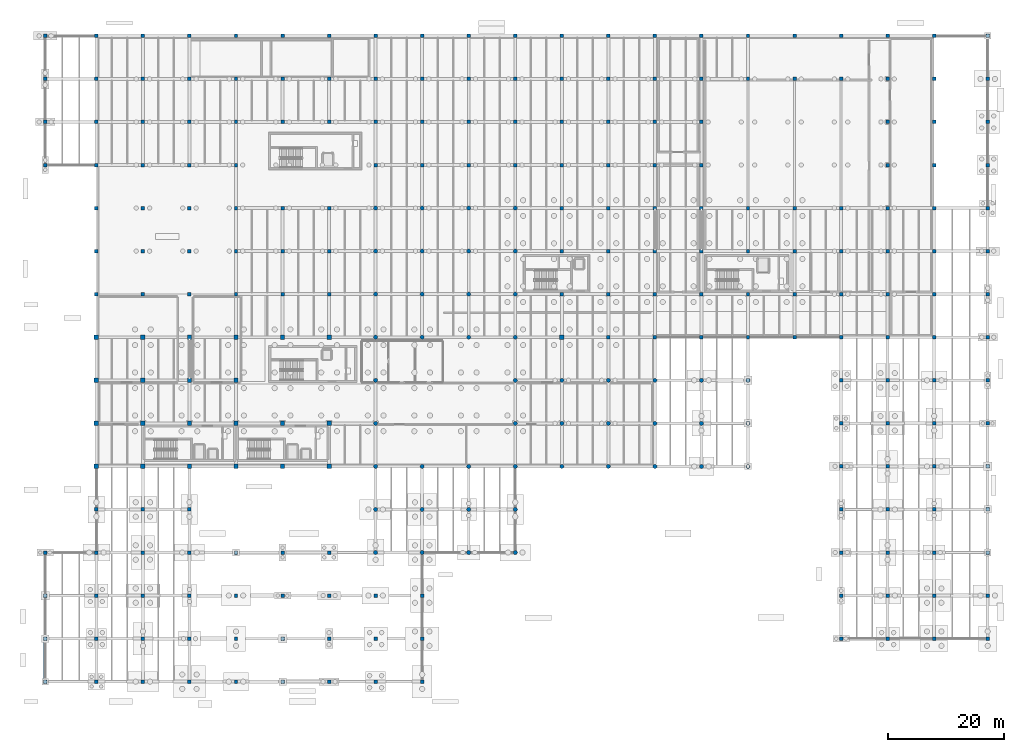
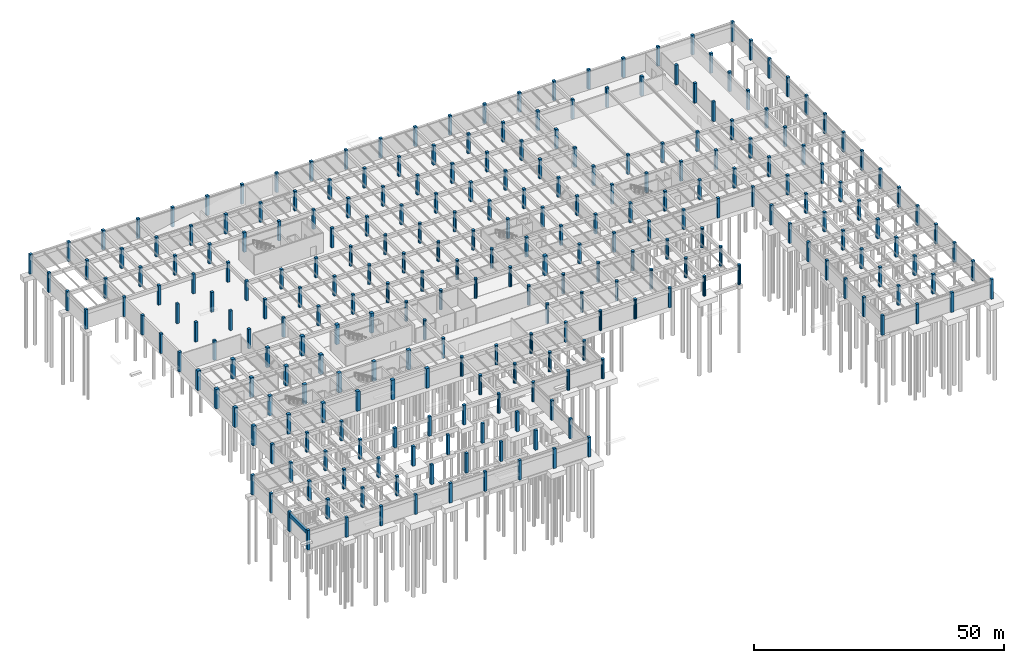
# One storey, part 8 of 40: 268 columns, 1 beam.
"""IFC4 building model written with IfcOpenShell, lengths in metres."""

from ifc_helpers import new_model, si_unit, direction, frame, origin, origin_2d, place, context, subcontext, project, spatial, rectangle, circle, extrude, material, material_profile, profile_set, type_object, element, save


model = new_model("IFC4")

# Units and contexts
model_context = context("Model", 3, precision=1e-05, world=origin(), true_north=direction((0.0, 1.0)))
body_context = subcontext(model_context, "Body", "Model", "MODEL_VIEW")
ifc_project = project(units=[si_unit("LENGTHUNIT", "METRE"), si_unit("AREAUNIT", "SQUARE_METRE"), si_unit("VOLUMEUNIT", "CUBIC_METRE"), si_unit("PLANEANGLEUNIT", "RADIAN"), si_unit("MASSUNIT", "GRAM", prefix="KILO")], contexts=[model_context])

# Site, building, storey
site_placement = place(None, origin())
site = spatial("IfcSite", under=ifc_project, at=site_placement, CompositionType="ELEMENT")
building_placement = place(site_placement, origin())
building = spatial("IfcBuilding", under=site, at=building_placement, Name="Valkorina Park Police Headquarters", CompositionType="ELEMENT")
storey_placement = place(building_placement, frame((0.0, 0.0, -4.800048828125)))
storey = spatial("IfcBuildingStorey", under=building, at=storey_placement, Name="B01", CompositionType="ELEMENT", Elevation=-4.800048828125)

# Columns
ifc_material = material(Name="Concrete C40/50", Category="concrete")
ifc_material_profile_1 = material_profile(ifc_material, rectangle(XDim=0.60009765625, YDim=0.60009765625, at=origin_2d()), Name="RC COL 600x600")
ifc_profile_set_1 = profile_set([ifc_material_profile_1], Name="Concrete C40/50")
column_type_1 = type_object("IfcColumnType", Name="COL-RC-600-EXT", PredefinedType="COLUMN", material=ifc_profile_set_1)
for number, where, z_axis, x_axis, name in (
    (1, (0.0, 0.0, 0.0), (0.0, 0.0, 1.0), (1.0, 0.0, 0.0), "B01 Column 0001"),
    (2, (0.0, 7.39990234375, 0.0), (0.0, 0.0, 1.0), (1.0, 0.0, 0.0), "B01 Column 0002"),
    (3, (0.0, 14.800048828125, 0.0), (0.0, 0.0, 1.0), (1.0, 0.0, 0.0), "B01 Column 0003"),
    (4, (0.0, 22.199951171875, 0.0), (0.0, 0.0, 1.0), (1.0, 0.0, 0.0), "B01 Column 0004"),
    (5, (0.0, 88.800048828125, 0.0), (0.0, 0.0, 1.0), (1.0, 0.0, 0.0), "B01 Column 0005"),
    (6, (0.0, 96.199951171875, 0.0), (0.0, 0.0, 1.0), (1.0, 0.0, 0.0), "B01 Column 0006"),
    (7, (0.0, 103.60009765625, 0.0), (0.0, 0.0, 1.0), (1.0, 0.0, 0.0), "B01 Column 0007"),
    (8, (0.0, 111.0, 0.0), (0.0, 0.0, 1.0), (1.0, 0.0, 0.0), "B01 Column 0008"),
    (9, (8.800048828125, 0.0, 0.0), (0.0, 0.0, 1.0), (1.0, 0.0, 0.0), "B01 Column 0009"),
    (10, (8.800048828125, 7.39990234375, 0.0), (0.0, 0.0, 1.0), (1.0, 0.0, 0.0), "B01 Column 0010"),
    (11, (8.800048828125, 14.800048828125, 0.0), (0.0, 0.0, 1.0), (1.0, 0.0, 0.0), "B01 Column 0011"),
    (12, (8.800048828125, 22.199951171875, 0.0), (0.0, 0.0, 1.0), (1.0, 0.0, 0.0), "B01 Column 0012"),
    (13, (8.800048828125, 29.60009765625, 0.0), (0.0, 0.0, 1.0), (1.0, 0.0, 0.0), "B01 Column 0013"),
    (14, (8.800048828125, 66.60009765625, 0.0), (0.0, 0.0, 1.0), (1.0, 0.0, 0.0), "B01 Column 0018"),
    (15, (8.800048828125, 74.0, 0.0), (0.0, 0.0, 1.0), (1.0, 0.0, 0.0), "B01 Column 0019"),
    (16, (8.800048828125, 81.39990234375, 0.0), (0.0, 0.0, 1.0), (1.0, 0.0, 0.0), "B01 Column 0020"),
    (17, (8.800048828125, 88.800048828125, 0.0), (0.0, 0.0, 1.0), (1.0, 0.0, 0.0), "B01 Column 0021"),
    (18, (8.800048828125, 96.199951171875, 0.0), (0.0, 0.0, 1.0), (1.0, 0.0, 0.0), "B01 Column 0022"),
    (19, (8.800048828125, 103.60009765625, 0.0), (0.0, 0.0, 1.0), (1.0, 0.0, 0.0), "B01 Column 0023"),
    (20, (8.800048828125, 111.0, 0.0), (0.0, 0.0, 1.0), (1.0, 0.0, 0.0), "B01 Column 0024"),
    (21, (16.800048828125, 0.0, 0.0), (0.0, 0.0, 1.0), (1.0, 0.0, 0.0), "B01 Column 0025"),
    (22, (16.800048828125, 7.39990234375, 0.0), (0.0, 0.0, 1.0), (1.0, 0.0, 0.0), "B01 Column 0026"),
    (23, (16.800048828125, 14.800048828125, 0.0), (0.0, 0.0, 1.0), (1.0, 0.0, 0.0), "B01 Column 0027"),
    (24, (16.800048828125, 22.199951171875, 0.0), (0.0, 0.0, 1.0), (1.0, 0.0, 0.0), "B01 Column 0028"),
    (25, (16.800048828125, 29.60009765625, 0.0), (0.0, 0.0, 1.0), (1.0, 0.0, 0.0), "B01 Column 0029"),
    (26, (16.800048828125, 111.0, 0.0), (0.0, 0.0, 1.0), (1.0, 0.0, 0.0), "B01 Column 0040"),
    (27, (24.800048828125, 0.0, 0.0), (0.0, 0.0, 1.0), (1.0, 0.0, 0.0), "B01 Column 0041"),
    (28, (24.800048828125, 7.39990234375, 0.0), (0.0, 0.0, 1.0), (1.0, 0.0, 0.0), "B01 Column 0042"),
    (29, (24.800048828125, 14.800048828125, 0.0), (0.0, 0.0, 1.0), (1.0, 0.0, 0.0), "B01 Column 0043"),
    (30, (24.800048828125, 22.199951171875, 0.0), (0.0, 0.0, 1.0), (1.0, 0.0, 0.0), "B01 Column 0044"),
    (31, (24.800048828125, 29.60009765625, 0.0), (0.0, 0.0, 1.0), (1.0, 0.0, 0.0), "B01 Column 0045"),
    (32, (24.800048828125, 111.0, 0.0), (0.0, 0.0, 1.0), (1.0, 0.0, 0.0), "B01 Column 0056"),
    (33, (32.800048828125, 0.0, 0.0), (0.0, 0.0, 1.0), (1.0, 0.0, 0.0), "B01 Column 0057"),
    (34, (32.800048828125, 7.39990234375, 0.0), (0.0, 0.0, 1.0), (1.0, 0.0, 0.0), "B01 Column 0058"),
    (35, (32.800048828125, 14.800048828125, 0.0), (0.0, 0.0, 1.0), (1.0, 0.0, 0.0), "B01 Column 0059"),
    (36, (32.800048828125, 22.199951171875, 0.0), (0.0, 0.0, 1.0), (1.0, 0.0, 0.0), "B01 Column 0060"),
    (37, (32.800048828125, 111.0, 0.0), (0.0, 0.0, 1.0), (1.0, 0.0, 0.0), "B01 Column 0071"),
    (38, (40.800048828125, 0.0, 0.0), (0.0, 0.0, 1.0), (1.0, 0.0, 0.0), "B01 Column 0072"),
    (39, (40.800048828125, 7.39990234375, 0.0), (0.0, 0.0, 1.0), (1.0, 0.0, 0.0), "B01 Column 0073"),
    (40, (40.800048828125, 14.800048828125, 0.0), (0.0, 0.0, 1.0), (1.0, 0.0, 0.0), "B01 Column 0074"),
    (41, (40.800048828125, 22.199951171875, 0.0), (0.0, 0.0, 1.0), (1.0, 0.0, 0.0), "B01 Column 0075"),
    (42, (40.800048828125, 111.0, 0.0), (0.0, 0.0, 1.0), (1.0, 0.0, 0.0), "B01 Column 0084"),
    (43, (48.800048828125, 0.0, 0.0), (0.0, 0.0, 1.0), (1.0, 0.0, 0.0), "B01 Column 0085"),
    (44, (48.800048828125, 7.39990234375, 0.0), (0.0, 0.0, 1.0), (1.0, 0.0, 0.0), "B01 Column 0086"),
    (45, (48.800048828125, 14.800048828125, 0.0), (0.0, 0.0, 1.0), (1.0, 0.0, 0.0), "B01 Column 0087"),
    (46, (48.800048828125, 22.199951171875, 0.0), (0.0, 0.0, 1.0), (1.0, 0.0, 0.0), "B01 Column 0088"),
    (47, (48.800048828125, 111.0, 0.0), (0.0, 0.0, 1.0), (1.0, 0.0, 0.0), "B01 Column 0097"),
    (48, (56.800048828125, 0.0, 0.0), (0.0, 0.0, 1.0), (1.0, 0.0, 0.0), "B01 Column 0098"),
    (49, (56.800048828125, 7.39990234375, 0.0), (0.0, 0.0, 1.0), (1.0, 0.0, 0.0), "B01 Column 0099"),
    (50, (56.800048828125, 14.800048828125, 0.0), (0.0, 0.0, 1.0), (1.0, 0.0, 0.0), "B01 Column 0100"),
    (51, (56.800048828125, 111.0, 0.0), (0.0, 0.0, 1.0), (1.0, 0.0, 0.0), "B01 Column 0113"),
    (52, (64.800048828125, 0.0, 0.0), (0.0, 0.0, 1.0), (1.0, 0.0, 0.0), "B01 Column 0114"),
    (53, (64.800048828125, 7.39990234375, 0.0), (0.0, 0.0, 1.0), (1.0, 0.0, 0.0), "B01 Column 0115"),
    (54, (64.800048828125, 14.800048828125, 0.0), (0.0, 0.0, 1.0), (1.0, 0.0, 0.0), "B01 Column 0116"),
    (55, (64.800048828125, 111.0, 0.0), (0.0, 0.0, 1.0), (1.0, 0.0, 0.0), "B01 Column 0127"),
    (56, (72.800048828125, 111.0, 0.0), (0.0, 0.0, 1.0), (1.0, 0.0, 0.0), "B01 Column 0138"),
    (57, (80.800048828125, 111.0, 0.0), (0.0, 0.0, 1.0), (1.0, 0.0, 0.0), "B01 Column 0151"),
    (58, (88.800048828125, 111.0, 0.0), (0.0, 0.0, 1.0), (1.0, 0.0, 0.0), "B01 Column 0162"),
    (59, (96.800048828125, 111.0, 0.0), (0.0, 0.0, 1.0), (1.0, 0.0, 0.0), "B01 Column 0173"),
    (60, (104.800048828125, 59.199951171875, 0.0), (0.0, 0.0, 1.0), (1.0, 0.0, 0.0), "B01 Column 0177"),
    (61, (104.800048828125, 111.0, 0.0), (0.0, 0.0, 1.0), (1.0, 0.0, 0.0), "B01 Column 0184"),
    (62, (112.800048828125, 59.199951171875, 0.0), (0.0, 0.0, 1.0), (1.0, 0.0, 0.0), "B01 Column 0188"),
    (63, (112.800048828125, 111.0, 0.0), (0.0, 0.0, 1.0), (1.0, 0.0, 0.0), "B01 Column 0195"),
    (64, (120.800048828125, 59.199951171875, 0.0), (0.0, 0.0, 1.0), (1.0, 0.0, 0.0), "B01 Column 0199"),
    (65, (120.800048828125, 111.0, 0.0), (0.0, 0.0, 1.0), (1.0, 0.0, 0.0), "B01 Column 0204"),
    (66, (128.800048828125, 59.199951171875, 0.0), (0.0, 0.0, 1.0), (1.0, 0.0, 0.0), "B01 Column 0205"),
    (67, (128.800048828125, 111.0, 0.0), (0.0, 0.0, 1.0), (1.0, 0.0, 0.0), "B01 Column 0210"),
    (68, (136.800048828125, 7.39990234375, 0.0), (0.0, 0.0, 1.0), (1.0, 0.0, 0.0), "B01 Column 0211"),
    (69, (136.800048828125, 14.800048828125, 0.0), (0.0, 0.0, 1.0), (1.0, 0.0, 0.0), "B01 Column 0212"),
    (70, (136.800048828125, 22.199951171875, 0.0), (0.0, 0.0, 1.0), (1.0, 0.0, 0.0), "B01 Column 0213"),
    (71, (136.800048828125, 29.60009765625, 0.0), (0.0, 0.0, 1.0), (1.0, 0.0, 0.0), "B01 Column 0214"),
    (72, (136.800048828125, 37.0, 0.0), (0.0, 0.0, 1.0), (1.0, 0.0, 0.0), "B01 Column 0215"),
    (73, (136.800048828125, 44.39990234375, 0.0), (0.0, 0.0, 1.0), (1.0, 0.0, 0.0), "B01 Column 0216"),
    (74, (136.800048828125, 51.800048828125, 0.0), (0.0, 0.0, 1.0), (1.0, 0.0, 0.0), "B01 Column 0217"),
    (75, (136.800048828125, 59.199951171875, 0.0), (0.0, 0.0, 1.0), (1.0, 0.0, 0.0), "B01 Column 0218"),
    (76, (136.800048828125, 111.0, 0.0), (0.0, 0.0, 1.0), (1.0, 0.0, 0.0), "B01 Column 0223"),
    (77, (144.800048828125, 7.39990234375, 0.0), (0.0, 0.0, 1.0), (1.0, 0.0, 0.0), "B01 Column 0224"),
    (78, (144.800048828125, 14.800048828125, 0.0), (0.0, 0.0, 1.0), (1.0, 0.0, 0.0), "B01 Column 0225"),
    (79, (144.800048828125, 22.199951171875, 0.0), (0.0, 0.0, 1.0), (1.0, 0.0, 0.0), "B01 Column 0226"),
    (80, (144.800048828125, 29.60009765625, 0.0), (0.0, 0.0, 1.0), (1.0, 0.0, 0.0), "B01 Column 0227"),
    (81, (144.800048828125, 37.0, 0.0), (0.0, 0.0, 1.0), (1.0, 0.0, 0.0), "B01 Column 0228"),
    (82, (144.800048828125, 44.39990234375, 0.0), (0.0, 0.0, 1.0), (1.0, 0.0, 0.0), "B01 Column 0229"),
    (83, (144.800048828125, 51.800048828125, 0.0), (0.0, 0.0, 1.0), (1.0, 0.0, 0.0), "B01 Column 0230"),
    (84, (144.800048828125, 59.199951171875, 0.0), (0.0, 0.0, 1.0), (1.0, 0.0, 0.0), "B01 Column 0231"),
    (85, (144.800048828125, 111.0, 0.0), (0.0, 0.0, 1.0), (1.0, 0.0, 0.0), "B01 Column 0238"),
    (86, (152.800048828125, 7.39990234375, 0.0), (0.0, 0.0, 1.0), (1.0, 0.0, 0.0), "B01 Column 0239"),
    (87, (152.800048828125, 14.800048828125, 0.0), (0.0, 0.0, 1.0), (1.0, 0.0, 0.0), "B01 Column 0240"),
    (88, (152.800048828125, 22.199951171875, 0.0), (0.0, 0.0, 1.0), (1.0, 0.0, 0.0), "B01 Column 0241"),
    (89, (152.800048828125, 29.60009765625, 0.0), (0.0, 0.0, 1.0), (1.0, 0.0, 0.0), "B01 Column 0242"),
    (90, (152.800048828125, 37.0, 0.0), (0.0, 0.0, 1.0), (1.0, 0.0, 0.0), "B01 Column 0243"),
    (91, (152.800048828125, 44.39990234375, 0.0), (0.0, 0.0, 1.0), (1.0, 0.0, 0.0), "B01 Column 0244"),
    (92, (152.800048828125, 51.800048828125, 0.0), (0.0, 0.0, 1.0), (1.0, 0.0, 0.0), "B01 Column 0245"),
    (93, (152.800048828125, 59.199951171875, 0.0), (0.0, 0.0, 1.0), (1.0, 0.0, 0.0), "B01 Column 0246"),
    (94, (152.800048828125, 66.60009765625, 0.0), (0.0, 0.0, 1.0), (1.0, 0.0, 0.0), "B01 Column 0247"),
    (95, (152.800048828125, 74.0, 0.0), (0.0, 0.0, 1.0), (1.0, 0.0, 0.0), "B01 Column 0248"),
    (96, (152.800048828125, 81.39990234375, 0.0), (0.0, 0.0, 1.0), (1.0, 0.0, 0.0), "B01 Column 0249"),
    (97, (152.800048828125, 88.800048828125, 0.0), (0.0, 0.0, 1.0), (1.0, 0.0, 0.0), "B01 Column 0250"),
    (98, (152.800048828125, 96.199951171875, 0.0), (0.0, 0.0, 1.0), (1.0, 0.0, 0.0), "B01 Column 0251"),
    (99, (152.800048828125, 103.60009765625, 0.0), (0.0, 0.0, 1.0), (1.0, 0.0, 0.0), "B01 Column 0252"),
    (100, (152.800048828125, 111.0, 0.0), (0.0, 0.0, 1.0), (1.0, 0.0, 0.0), "B01 Column 0253"),
    (101, (162.0, 7.39990234375, 0.0), (0.0, 0.0, 1.0), (1.0, 0.0, 0.0), "B01 Column 0254"),
    (102, (162.0, 14.800048828125, 0.0), (0.0, 0.0, 1.0), (1.0, 0.0, 0.0), "B01 Column 0255"),
    (103, (162.0, 22.199951171875, 0.0), (0.0, 0.0, 1.0), (1.0, 0.0, 0.0), "B01 Column 0256"),
    (104, (162.0, 29.60009765625, 0.0), (0.0, 0.0, 1.0), (1.0, 0.0, 0.0), "B01 Column 0257"),
    (105, (162.0, 37.0, 0.0), (0.0, 0.0, 1.0), (1.0, 0.0, 0.0), "B01 Column 0258"),
    (106, (162.0, 44.39990234375, 0.0), (0.0, 0.0, 1.0), (1.0, 0.0, 0.0), "B01 Column 0259"),
    (107, (162.0, 51.800048828125, 0.0), (0.0, 0.0, 1.0), (1.0, 0.0, 0.0), "B01 Column 0260"),
    (108, (162.0, 59.199951171875, 0.0), (0.0, 0.0, 1.0), (1.0, 0.0, 0.0), "B01 Column 0261"),
    (109, (162.0, 66.60009765625, 0.0), (0.0, 0.0, 1.0), (1.0, 0.0, 0.0), "B01 Column 0262"),
    (110, (162.0, 74.0, 0.0), (0.0, 0.0, 1.0), (1.0, 0.0, 0.0), "B01 Column 0263"),
    (111, (162.0, 81.39990234375, 0.0), (0.0, 0.0, 1.0), (1.0, 0.0, 0.0), "B01 Column 0264"),
    (112, (162.0, 88.800048828125, 0.0), (0.0, 0.0, 1.0), (1.0, 0.0, 0.0), "B01 Column 0265"),
    (113, (162.0, 96.199951171875, 0.0), (0.0, 0.0, 1.0), (1.0, 0.0, 0.0), "B01 Column 0266"),
    (114, (162.0, 103.60009765625, 0.0), (0.0, 0.0, 1.0), (1.0, 0.0, 0.0), "B01 Column 0267"),
    (115, (162.0, 111.0, 0.0), (0.0, 0.0, 1.0), (1.0, 0.0, 0.0), "B01 Column 0268"),
):
    element("IfcColumn", number, at=place(storey_placement, frame(where, z_axis=z_axis, x_axis=x_axis)), inside=storey, type_object=column_type_1, Name=name, PredefinedType="COLUMN", context=body_context, shape_type="SweptSolid", body=[
        extrude(rectangle(XDim=0.60009765625, YDim=0.60009765625, at=origin_2d()), origin(), (0.0, 0.0, 1.0), 4.800048828125),
    ])
ifc_material_profile_2 = material_profile(ifc_material, rectangle(XDim=0.60009765625, YDim=0.60009765625, at=origin_2d()), Name="RC COL 600x600")
ifc_profile_set_2 = profile_set([ifc_material_profile_2], Name="Concrete C40/50")
column_type_2 = type_object("IfcColumnType", Name="COL-RC-600-INT", PredefinedType="COLUMN", material=ifc_profile_set_2)
for number, where, z_axis, x_axis, name in (
    (116, (16.800048828125, 66.60009765625, 0.0), (0.0, 0.0, 1.0), (1.0, 0.0, 0.0), "B01 Column 0034"),
    (117, (16.800048828125, 74.0, 0.0), (0.0, 0.0, 1.0), (1.0, 0.0, 0.0), "B01 Column 0035"),
    (118, (16.800048828125, 81.39990234375, 0.0), (0.0, 0.0, 1.0), (1.0, 0.0, 0.0), "B01 Column 0036"),
    (119, (16.800048828125, 88.800048828125, 0.0), (0.0, 0.0, 1.0), (1.0, 0.0, 0.0), "B01 Column 0037"),
    (120, (16.800048828125, 96.199951171875, 0.0), (0.0, 0.0, 1.0), (1.0, 0.0, 0.0), "B01 Column 0038"),
    (121, (16.800048828125, 103.60009765625, 0.0), (0.0, 0.0, 1.0), (1.0, 0.0, 0.0), "B01 Column 0039"),
    (122, (24.800048828125, 66.60009765625, 0.0), (0.0, 0.0, 1.0), (1.0, 0.0, 0.0), "B01 Column 0050"),
    (123, (24.800048828125, 74.0, 0.0), (0.0, 0.0, 1.0), (1.0, 0.0, 0.0), "B01 Column 0051"),
    (124, (24.800048828125, 81.39990234375, 0.0), (0.0, 0.0, 1.0), (1.0, 0.0, 0.0), "B01 Column 0052"),
    (125, (24.800048828125, 88.800048828125, 0.0), (0.0, 0.0, 1.0), (1.0, 0.0, 0.0), "B01 Column 0053"),
    (126, (24.800048828125, 96.199951171875, 0.0), (0.0, 0.0, 1.0), (1.0, 0.0, 0.0), "B01 Column 0054"),
    (127, (24.800048828125, 103.60009765625, 0.0), (0.0, 0.0, 1.0), (1.0, 0.0, 0.0), "B01 Column 0055"),
    (128, (32.800048828125, 66.60009765625, 0.0), (0.0, 0.0, 1.0), (1.0, 0.0, 0.0), "B01 Column 0065"),
    (129, (32.800048828125, 74.0, 0.0), (0.0, 0.0, 1.0), (1.0, 0.0, 0.0), "B01 Column 0066"),
    (130, (32.800048828125, 81.39990234375, 0.0), (0.0, 0.0, 1.0), (1.0, 0.0, 0.0), "B01 Column 0067"),
    (131, (32.800048828125, 88.800048828125, 0.0), (0.0, 0.0, 1.0), (1.0, 0.0, 0.0), "B01 Column 0068"),
    (132, (32.800048828125, 96.199951171875, 0.0), (0.0, 0.0, 1.0), (1.0, 0.0, 0.0), "B01 Column 0069"),
    (133, (32.800048828125, 103.60009765625, 0.0), (0.0, 0.0, 1.0), (1.0, 0.0, 0.0), "B01 Column 0070"),
    (134, (40.800048828125, 66.60009765625, 0.0), (0.0, 0.0, 1.0), (1.0, 0.0, 0.0), "B01 Column 0079"),
    (135, (40.800048828125, 74.0, 0.0), (0.0, 0.0, 1.0), (1.0, 0.0, 0.0), "B01 Column 0080"),
    (136, (40.800048828125, 81.39990234375, 0.0), (0.0, 0.0, 1.0), (1.0, 0.0, 0.0), "B01 Column 0081"),
    (137, (40.800048828125, 96.199951171875, 0.0), (0.0, 0.0, 1.0), (1.0, 0.0, 0.0), "B01 Column 0082"),
    (138, (40.800048828125, 103.60009765625, 0.0), (0.0, 0.0, 1.0), (1.0, 0.0, 0.0), "B01 Column 0083"),
    (139, (48.800048828125, 66.60009765625, 0.0), (0.0, 0.0, 1.0), (1.0, 0.0, 0.0), "B01 Column 0092"),
    (140, (48.800048828125, 74.0, 0.0), (0.0, 0.0, 1.0), (1.0, 0.0, 0.0), "B01 Column 0093"),
    (141, (48.800048828125, 81.39990234375, 0.0), (0.0, 0.0, 1.0), (1.0, 0.0, 0.0), "B01 Column 0094"),
    (142, (48.800048828125, 96.199951171875, 0.0), (0.0, 0.0, 1.0), (1.0, 0.0, 0.0), "B01 Column 0095"),
    (143, (48.800048828125, 103.60009765625, 0.0), (0.0, 0.0, 1.0), (1.0, 0.0, 0.0), "B01 Column 0096"),
    (144, (56.800048828125, 88.800048828125, 0.0), (0.0, 0.0, 1.0), (1.0, 0.0, 0.0), "B01 Column 0110"),
    (145, (56.800048828125, 96.199951171875, 0.0), (0.0, 0.0, 1.0), (1.0, 0.0, 0.0), "B01 Column 0111"),
    (146, (56.800048828125, 103.60009765625, 0.0), (0.0, 0.0, 1.0), (1.0, 0.0, 0.0), "B01 Column 0112"),
    (147, (64.800048828125, 88.800048828125, 0.0), (0.0, 0.0, 1.0), (1.0, 0.0, 0.0), "B01 Column 0124"),
    (148, (64.800048828125, 96.199951171875, 0.0), (0.0, 0.0, 1.0), (1.0, 0.0, 0.0), "B01 Column 0125"),
    (149, (64.800048828125, 103.60009765625, 0.0), (0.0, 0.0, 1.0), (1.0, 0.0, 0.0), "B01 Column 0126"),
    (150, (72.800048828125, 88.800048828125, 0.0), (0.0, 0.0, 1.0), (1.0, 0.0, 0.0), "B01 Column 0135"),
    (151, (72.800048828125, 96.199951171875, 0.0), (0.0, 0.0, 1.0), (1.0, 0.0, 0.0), "B01 Column 0136"),
    (152, (72.800048828125, 103.60009765625, 0.0), (0.0, 0.0, 1.0), (1.0, 0.0, 0.0), "B01 Column 0137"),
    (153, (80.800048828125, 88.800048828125, 0.0), (0.0, 0.0, 1.0), (1.0, 0.0, 0.0), "B01 Column 0148"),
    (154, (80.800048828125, 96.199951171875, 0.0), (0.0, 0.0, 1.0), (1.0, 0.0, 0.0), "B01 Column 0149"),
    (155, (80.800048828125, 103.60009765625, 0.0), (0.0, 0.0, 1.0), (1.0, 0.0, 0.0), "B01 Column 0150"),
    (156, (88.800048828125, 66.60009765625, 0.0), (0.0, 0.0, 1.0), (1.0, 0.0, 0.0), "B01 Column 0156"),
    (157, (88.800048828125, 74.0, 0.0), (0.0, 0.0, 1.0), (1.0, 0.0, 0.0), "B01 Column 0157"),
    (158, (88.800048828125, 81.39990234375, 0.0), (0.0, 0.0, 1.0), (1.0, 0.0, 0.0), "B01 Column 0158"),
    (159, (88.800048828125, 88.800048828125, 0.0), (0.0, 0.0, 1.0), (1.0, 0.0, 0.0), "B01 Column 0159"),
    (160, (88.800048828125, 96.199951171875, 0.0), (0.0, 0.0, 1.0), (1.0, 0.0, 0.0), "B01 Column 0160"),
    (161, (88.800048828125, 103.60009765625, 0.0), (0.0, 0.0, 1.0), (1.0, 0.0, 0.0), "B01 Column 0161"),
    (162, (96.800048828125, 59.199951171875, 0.0), (0.0, 0.0, 1.0), (1.0, 0.0, 0.0), "B01 Column 0166"),
    (163, (96.800048828125, 66.60009765625, 0.0), (0.0, 0.0, 1.0), (1.0, 0.0, 0.0), "B01 Column 0167"),
    (164, (96.800048828125, 74.0, 0.0), (0.0, 0.0, 1.0), (1.0, 0.0, 0.0), "B01 Column 0168"),
    (165, (96.800048828125, 81.39990234375, 0.0), (0.0, 0.0, 1.0), (1.0, 0.0, 0.0), "B01 Column 0169"),
    (166, (96.800048828125, 88.800048828125, 0.0), (0.0, 0.0, 1.0), (1.0, 0.0, 0.0), "B01 Column 0170"),
    (167, (96.800048828125, 96.199951171875, 0.0), (0.0, 0.0, 1.0), (1.0, 0.0, 0.0), "B01 Column 0171"),
    (168, (96.800048828125, 103.60009765625, 0.0), (0.0, 0.0, 1.0), (1.0, 0.0, 0.0), "B01 Column 0172"),
    (169, (104.800048828125, 66.60009765625, 0.0), (0.0, 0.0, 1.0), (1.0, 0.0, 0.0), "B01 Column 0178"),
    (170, (104.800048828125, 74.0, 0.0), (0.0, 0.0, 1.0), (1.0, 0.0, 0.0), "B01 Column 0179"),
    (171, (104.800048828125, 81.39990234375, 0.0), (0.0, 0.0, 1.0), (1.0, 0.0, 0.0), "B01 Column 0180"),
    (172, (104.800048828125, 88.800048828125, 0.0), (0.0, 0.0, 1.0), (1.0, 0.0, 0.0), "B01 Column 0181"),
    (173, (104.800048828125, 96.199951171875, 0.0), (0.0, 0.0, 1.0), (1.0, 0.0, 0.0), "B01 Column 0182"),
    (174, (104.800048828125, 103.60009765625, 0.0), (0.0, 0.0, 1.0), (1.0, 0.0, 0.0), "B01 Column 0183"),
    (175, (112.800048828125, 66.60009765625, 0.0), (0.0, 0.0, 1.0), (1.0, 0.0, 0.0), "B01 Column 0189"),
    (176, (112.800048828125, 74.0, 0.0), (0.0, 0.0, 1.0), (1.0, 0.0, 0.0), "B01 Column 0190"),
    (177, (112.800048828125, 81.39990234375, 0.0), (0.0, 0.0, 1.0), (1.0, 0.0, 0.0), "B01 Column 0191"),
    (178, (112.800048828125, 88.800048828125, 0.0), (0.0, 0.0, 1.0), (1.0, 0.0, 0.0), "B01 Column 0192"),
    (179, (112.800048828125, 96.199951171875, 0.0), (0.0, 0.0, 1.0), (1.0, 0.0, 0.0), "B01 Column 0193"),
    (180, (112.800048828125, 103.60009765625, 0.0), (0.0, 0.0, 1.0), (1.0, 0.0, 0.0), "B01 Column 0194"),
    (181, (120.800048828125, 66.60009765625, 0.0), (0.0, 0.0, 1.0), (1.0, 0.0, 0.0), "B01 Column 0200"),
    (182, (120.800048828125, 74.0, 0.0), (0.0, 0.0, 1.0), (1.0, 0.0, 0.0), "B01 Column 0201"),
    (183, (120.800048828125, 81.39990234375, 0.0), (0.0, 0.0, 1.0), (1.0, 0.0, 0.0), "B01 Column 0202"),
    (184, (120.800048828125, 103.60009765625, 0.0), (0.0, 0.0, 1.0), (1.0, 0.0, 0.0), "B01 Column 0203"),
    (185, (128.800048828125, 66.60009765625, 0.0), (0.0, 0.0, 1.0), (1.0, 0.0, 0.0), "B01 Column 0206"),
    (186, (128.800048828125, 74.0, 0.0), (0.0, 0.0, 1.0), (1.0, 0.0, 0.0), "B01 Column 0207"),
    (187, (128.800048828125, 81.39990234375, 0.0), (0.0, 0.0, 1.0), (1.0, 0.0, 0.0), "B01 Column 0208"),
    (188, (128.800048828125, 103.60009765625, 0.0), (0.0, 0.0, 1.0), (1.0, 0.0, 0.0), "B01 Column 0209"),
    (189, (136.800048828125, 66.60009765625, 0.0), (0.0, 0.0, 1.0), (1.0, 0.0, 0.0), "B01 Column 0219"),
    (190, (136.800048828125, 74.0, 0.0), (0.0, 0.0, 1.0), (1.0, 0.0, 0.0), "B01 Column 0220"),
    (191, (136.800048828125, 81.39990234375, 0.0), (0.0, 0.0, 1.0), (1.0, 0.0, 0.0), "B01 Column 0221"),
    (192, (136.800048828125, 103.60009765625, 0.0), (0.0, 0.0, 1.0), (1.0, 0.0, 0.0), "B01 Column 0222"),
    (193, (144.800048828125, 66.60009765625, 0.0), (0.0, 0.0, 1.0), (1.0, 0.0, 0.0), "B01 Column 0232"),
    (194, (144.800048828125, 74.0, 0.0), (0.0, 0.0, 1.0), (1.0, 0.0, 0.0), "B01 Column 0233"),
    (195, (144.800048828125, 81.39990234375, 0.0), (0.0, 0.0, 1.0), (1.0, 0.0, 0.0), "B01 Column 0234"),
    (196, (144.800048828125, 88.800048828125, 0.0), (0.0, 0.0, 1.0), (1.0, 0.0, 0.0), "B01 Column 0235"),
    (197, (144.800048828125, 96.199951171875, 0.0), (0.0, 0.0, 1.0), (1.0, 0.0, 0.0), "B01 Column 0236"),
    (198, (144.800048828125, 103.60009765625, 0.0), (0.0, 0.0, 1.0), (1.0, 0.0, 0.0), "B01 Column 0237"),
):
    element("IfcColumn", number, at=place(storey_placement, frame(where, z_axis=z_axis, x_axis=x_axis)), inside=storey, type_object=column_type_2, Name=name, PredefinedType="COLUMN", context=body_context, shape_type="SweptSolid", body=[
        extrude(rectangle(XDim=0.60009765625, YDim=0.60009765625, at=origin_2d()), origin(), (0.0, 0.0, 1.0), 4.800048828125),
    ])
ifc_material_profile_3 = material_profile(ifc_material, rectangle(XDim=0.75, YDim=0.75, at=origin_2d()), Name="RC COL 750x750")
ifc_profile_set_3 = profile_set([ifc_material_profile_3], Name="Concrete C40/50")
column_type_3 = type_object("IfcColumnType", Name="COL-RC-750-EXT", PredefinedType="COLUMN", material=ifc_profile_set_3)
for number, where, z_axis, x_axis, name in (
    (199, (8.800048828125, 37.0, 0.0), (0.0, 0.0, 1.0), (1.0, 0.0, 0.0), "B01 Column 0014"),
    (200, (8.800048828125, 44.39990234375, 0.0), (0.0, 0.0, 1.0), (1.0, 0.0, 0.0), "B01 Column 0015"),
    (201, (8.800048828125, 51.800048828125, 0.0), (0.0, 0.0, 1.0), (1.0, 0.0, 0.0), "B01 Column 0016"),
    (202, (8.800048828125, 59.199951171875, 0.0), (0.0, 0.0, 1.0), (1.0, 0.0, 0.0), "B01 Column 0017"),
    (203, (16.800048828125, 37.0, 0.0), (0.0, 0.0, 1.0), (1.0, 0.0, 0.0), "B01 Column 0030"),
    (204, (24.800048828125, 37.0, 0.0), (0.0, 0.0, 1.0), (1.0, 0.0, 0.0), "B01 Column 0046"),
    (205, (32.800048828125, 37.0, 0.0), (0.0, 0.0, 1.0), (1.0, 0.0, 0.0), "B01 Column 0061"),
    (206, (40.800048828125, 37.0, 0.0), (0.0, 0.0, 1.0), (1.0, 0.0, 0.0), "B01 Column 0076"),
    (207, (48.800048828125, 37.0, 0.0), (0.0, 0.0, 1.0), (1.0, 0.0, 0.0), "B01 Column 0089"),
):
    element("IfcColumn", number, at=place(storey_placement, frame(where, z_axis=z_axis, x_axis=x_axis)), inside=storey, type_object=column_type_3, Name=name, PredefinedType="COLUMN", context=body_context, shape_type="SweptSolid", body=[
        extrude(rectangle(XDim=0.75, YDim=0.75, at=origin_2d()), origin(), (0.0, 0.0, 1.0), 4.800048828125),
    ])
ifc_material_profile_4 = material_profile(ifc_material, rectangle(XDim=0.75, YDim=0.75, at=origin_2d()), Name="RC COL 750x750")
ifc_profile_set_4 = profile_set([ifc_material_profile_4], Name="Concrete C40/50")
column_type_4 = type_object("IfcColumnType", Name="COL-RC-750-INT", PredefinedType="COLUMN", material=ifc_profile_set_4)
for number, where, z_axis, x_axis, name in (
    (208, (16.800048828125, 44.39990234375, 0.0), (0.0, 0.0, 1.0), (1.0, 0.0, 0.0), "B01 Column 0031"),
    (209, (16.800048828125, 51.800048828125, 0.0), (0.0, 0.0, 1.0), (1.0, 0.0, 0.0), "B01 Column 0032"),
    (210, (16.800048828125, 59.199951171875, 0.0), (0.0, 0.0, 1.0), (1.0, 0.0, 0.0), "B01 Column 0033"),
    (211, (24.800048828125, 44.39990234375, 0.0), (0.0, 0.0, 1.0), (1.0, 0.0, 0.0), "B01 Column 0047"),
    (212, (24.800048828125, 51.800048828125, 0.0), (0.0, 0.0, 1.0), (1.0, 0.0, 0.0), "B01 Column 0048"),
    (213, (24.800048828125, 59.199951171875, 0.0), (0.0, 0.0, 1.0), (1.0, 0.0, 0.0), "B01 Column 0049"),
    (214, (32.800048828125, 44.39990234375, 0.0), (0.0, 0.0, 1.0), (1.0, 0.0, 0.0), "B01 Column 0062"),
    (215, (32.800048828125, 51.800048828125, 0.0), (0.0, 0.0, 1.0), (1.0, 0.0, 0.0), "B01 Column 0063"),
    (216, (32.800048828125, 59.199951171875, 0.0), (0.0, 0.0, 1.0), (1.0, 0.0, 0.0), "B01 Column 0064"),
    (217, (40.800048828125, 44.39990234375, 0.0), (0.0, 0.0, 1.0), (1.0, 0.0, 0.0), "B01 Column 0077"),
    (218, (40.800048828125, 59.199951171875, 0.0), (0.0, 0.0, 1.0), (1.0, 0.0, 0.0), "B01 Column 0078"),
    (219, (48.800048828125, 44.39990234375, 0.0), (0.0, 0.0, 1.0), (1.0, 0.0, 0.0), "B01 Column 0090"),
    (220, (48.800048828125, 59.199951171875, 0.0), (0.0, 0.0, 1.0), (1.0, 0.0, 0.0), "B01 Column 0091"),
    (221, (88.800048828125, 59.199951171875, 0.0), (0.0, 0.0, 1.0), (1.0, 0.0, 0.0), "B01 Column 0155"),
):
    element("IfcColumn", number, at=place(storey_placement, frame(where, z_axis=z_axis, x_axis=x_axis)), inside=storey, type_object=column_type_4, Name=name, PredefinedType="COLUMN", context=body_context, shape_type="SweptSolid", body=[
        extrude(rectangle(XDim=0.75, YDim=0.75, at=origin_2d()), origin(), (0.0, 0.0, 1.0), 4.800048828125),
    ])
ifc_material_profile_5 = material_profile(ifc_material, circle(Radius=0.35009765625, at=origin_2d()), Name="RC COL D700")
ifc_profile_set_5 = profile_set([ifc_material_profile_5], Name="Concrete C40/50")
column_type_5 = type_object("IfcColumnType", Name="COL-RC-D700-EXT", PredefinedType="COLUMN", material=ifc_profile_set_5)
for number, where, z_axis, x_axis, name in (
    (222, (56.800048828125, 22.199951171875, 0.0), (0.0, 0.0, 1.0), (1.0, 0.0, 0.0), "B01 Column 0101"),
    (223, (56.800048828125, 29.60009765625, 0.0), (0.0, 0.0, 1.0), (1.0, 0.0, 0.0), "B01 Column 0102"),
    (224, (56.800048828125, 37.0, 0.0), (0.0, 0.0, 1.0), (1.0, 0.0, 0.0), "B01 Column 0103"),
    (225, (64.800048828125, 22.199951171875, 0.0), (0.0, 0.0, 1.0), (1.0, 0.0, 0.0), "B01 Column 0117"),
    (226, (64.800048828125, 29.60009765625, 0.0), (0.0, 0.0, 1.0), (1.0, 0.0, 0.0), "B01 Column 0118"),
    (227, (64.800048828125, 37.0, 0.0), (0.0, 0.0, 1.0), (1.0, 0.0, 0.0), "B01 Column 0119"),
    (228, (72.800048828125, 22.199951171875, 0.0), (0.0, 0.0, 1.0), (1.0, 0.0, 0.0), "B01 Column 0128"),
    (229, (72.800048828125, 29.60009765625, 0.0), (0.0, 0.0, 1.0), (1.0, 0.0, 0.0), "B01 Column 0129"),
    (230, (72.800048828125, 37.0, 0.0), (0.0, 0.0, 1.0), (1.0, 0.0, 0.0), "B01 Column 0130"),
    (231, (80.800048828125, 22.199951171875, 0.0), (0.0, 0.0, 1.0), (1.0, 0.0, 0.0), "B01 Column 0139"),
    (232, (80.800048828125, 29.60009765625, 0.0), (0.0, 0.0, 1.0), (1.0, 0.0, 0.0), "B01 Column 0140"),
    (233, (80.800048828125, 37.0, 0.0), (0.0, 0.0, 1.0), (1.0, 0.0, 0.0), "B01 Column 0141"),
    (234, (88.800048828125, 37.0, 0.0), (0.0, 0.0, 1.0), (1.0, 0.0, 0.0), "B01 Column 0152"),
    (235, (88.800048828125, 44.39990234375, 0.0), (0.0, 0.0, 1.0), (1.0, 0.0, 0.0), "B01 Column 0153"),
    (236, (88.800048828125, 51.800048828125, 0.0), (0.0, 0.0, 1.0), (1.0, 0.0, 0.0), "B01 Column 0154"),
    (237, (96.800048828125, 37.0, 0.0), (0.0, 0.0, 1.0), (1.0, 0.0, 0.0), "B01 Column 0163"),
    (238, (96.800048828125, 44.39990234375, 0.0), (0.0, 0.0, 1.0), (1.0, 0.0, 0.0), "B01 Column 0164"),
    (239, (96.800048828125, 51.800048828125, 0.0), (0.0, 0.0, 1.0), (1.0, 0.0, 0.0), "B01 Column 0165"),
    (240, (104.800048828125, 37.0, 0.0), (0.0, 0.0, 1.0), (1.0, 0.0, 0.0), "B01 Column 0174"),
    (241, (104.800048828125, 44.39990234375, 0.0), (0.0, 0.0, 1.0), (1.0, 0.0, 0.0), "B01 Column 0175"),
    (242, (104.800048828125, 51.800048828125, 0.0), (0.0, 0.0, 1.0), (1.0, 0.0, 0.0), "B01 Column 0176"),
    (243, (112.800048828125, 37.0, 0.0), (0.0, 0.0, 1.0), (1.0, 0.0, 0.0), "B01 Column 0185"),
    (244, (112.800048828125, 44.39990234375, 0.0), (0.0, 0.0, 1.0), (1.0, 0.0, 0.0), "B01 Column 0186"),
    (245, (112.800048828125, 51.800048828125, 0.0), (0.0, 0.0, 1.0), (1.0, 0.0, 0.0), "B01 Column 0187"),
    (246, (120.800048828125, 37.0, 0.0), (0.0, 0.0, 1.0), (1.0, 0.0, 0.0), "B01 Column 0196"),
    (247, (120.800048828125, 44.39990234375, 0.0), (0.0, 0.0, 1.0), (1.0, 0.0, 0.0), "B01 Column 0197"),
    (248, (120.800048828125, 51.800048828125, 0.0), (0.0, 0.0, 1.0), (1.0, 0.0, 0.0), "B01 Column 0198"),
):
    element("IfcColumn", number, at=place(storey_placement, frame(where, z_axis=z_axis, x_axis=x_axis)), inside=storey, type_object=column_type_5, Name=name, PredefinedType="COLUMN", context=body_context, shape_type="SweptSolid", body=[
        extrude(circle(Radius=0.35009765625, at=origin_2d()), origin(), (0.0, 0.0, 1.0), 4.800048828125),
    ])
ifc_material_profile_6 = material_profile(ifc_material, circle(Radius=0.35009765625, at=origin_2d()), Name="RC COL D700")
ifc_profile_set_6 = profile_set([ifc_material_profile_6], Name="Concrete C40/50")
column_type_6 = type_object("IfcColumnType", Name="COL-RC-D700-INT", PredefinedType="COLUMN", material=ifc_profile_set_6)
for number, where, z_axis, x_axis, name in (
    (249, (56.800048828125, 44.39990234375, 0.0), (0.0, 0.0, 1.0), (1.0, 0.0, 0.0), "B01 Column 0104"),
    (250, (56.800048828125, 51.800048828125, 0.0), (0.0, 0.0, 1.0), (1.0, 0.0, 0.0), "B01 Column 0105"),
    (251, (56.800048828125, 59.199951171875, 0.0), (0.0, 0.0, 1.0), (1.0, 0.0, 0.0), "B01 Column 0106"),
    (252, (56.800048828125, 66.60009765625, 0.0), (0.0, 0.0, 1.0), (1.0, 0.0, 0.0), "B01 Column 0107"),
    (253, (56.800048828125, 74.0, 0.0), (0.0, 0.0, 1.0), (1.0, 0.0, 0.0), "B01 Column 0108"),
    (254, (56.800048828125, 81.39990234375, 0.0), (0.0, 0.0, 1.0), (1.0, 0.0, 0.0), "B01 Column 0109"),
    (255, (64.800048828125, 59.199951171875, 0.0), (0.0, 0.0, 1.0), (1.0, 0.0, 0.0), "B01 Column 0120"),
    (256, (64.800048828125, 66.60009765625, 0.0), (0.0, 0.0, 1.0), (1.0, 0.0, 0.0), "B01 Column 0121"),
    (257, (64.800048828125, 74.0, 0.0), (0.0, 0.0, 1.0), (1.0, 0.0, 0.0), "B01 Column 0122"),
    (258, (64.800048828125, 81.39990234375, 0.0), (0.0, 0.0, 1.0), (1.0, 0.0, 0.0), "B01 Column 0123"),
    (259, (72.800048828125, 59.199951171875, 0.0), (0.0, 0.0, 1.0), (1.0, 0.0, 0.0), "B01 Column 0131"),
    (260, (72.800048828125, 66.60009765625, 0.0), (0.0, 0.0, 1.0), (1.0, 0.0, 0.0), "B01 Column 0132"),
    (261, (72.800048828125, 74.0, 0.0), (0.0, 0.0, 1.0), (1.0, 0.0, 0.0), "B01 Column 0133"),
    (262, (72.800048828125, 81.39990234375, 0.0), (0.0, 0.0, 1.0), (1.0, 0.0, 0.0), "B01 Column 0134"),
    (263, (80.800048828125, 44.39990234375, 0.0), (0.0, 0.0, 1.0), (1.0, 0.0, 0.0), "B01 Column 0142"),
    (264, (80.800048828125, 51.800048828125, 0.0), (0.0, 0.0, 1.0), (1.0, 0.0, 0.0), "B01 Column 0143"),
    (265, (80.800048828125, 59.199951171875, 0.0), (0.0, 0.0, 1.0), (1.0, 0.0, 0.0), "B01 Column 0144"),
    (266, (80.800048828125, 66.60009765625, 0.0), (0.0, 0.0, 1.0), (1.0, 0.0, 0.0), "B01 Column 0145"),
    (267, (80.800048828125, 74.0, 0.0), (0.0, 0.0, 1.0), (1.0, 0.0, 0.0), "B01 Column 0146"),
    (268, (80.800048828125, 81.39990234375, 0.0), (0.0, 0.0, 1.0), (1.0, 0.0, 0.0), "B01 Column 0147"),
):
    element("IfcColumn", number, at=place(storey_placement, frame(where, z_axis=z_axis, x_axis=x_axis)), inside=storey, type_object=column_type_6, Name=name, PredefinedType="COLUMN", context=body_context, shape_type="SweptSolid", body=[
        extrude(circle(Radius=0.35009765625, at=origin_2d()), origin(), (0.0, 0.0, 1.0), 4.800048828125),
    ])

# Beam
ifc_material_profile_7 = material_profile(ifc_material, rectangle(XDim=0.5, YDim=0.85009765625, at=origin_2d()), Name="RC BEAM 500x850")
ifc_profile_set_7 = profile_set([ifc_material_profile_7], Name="Concrete C40/50")
beam_type = type_object("IfcBeamType", Name="BM-RC-500x850-EXT", PredefinedType="SPANDREL", material=ifc_profile_set_7)
beam_placement = place(storey_placement, frame((0.0, 0.300048828125, 4.025146484375), z_axis=(0.0, 1.0, 0.0), x_axis=(-1.0, 0.0, 0.0)))
element("IfcBeam", 269, at=beam_placement, inside=storey, type_object=beam_type, Name="B01 Framing Beam 0211", PredefinedType="SPANDREL", context=body_context, shape_type="SweptSolid", body=[
    extrude(rectangle(XDim=0.5, YDim=0.85009765625, at=origin_2d()), origin(), (0.0, 0.0, 1.0), 6.800048828125),
])

save(model, "model.ifc")
